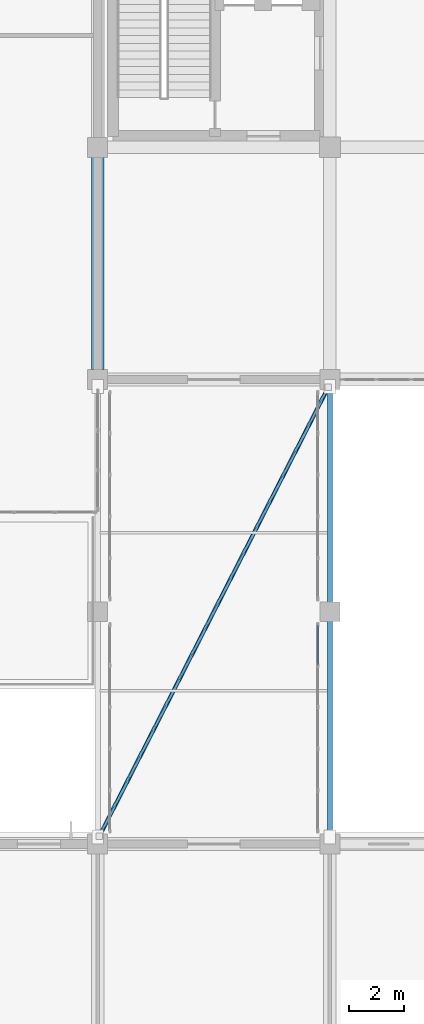
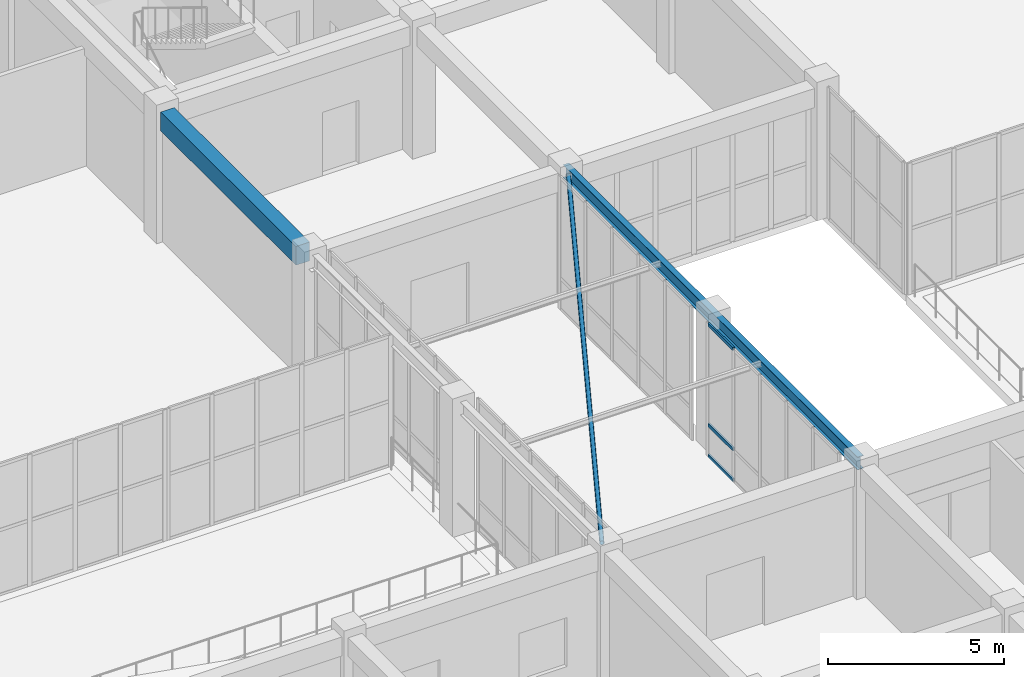
# One storey, part 41 of 158: 4 members, 2 beams, 1 element without a shape of its own.
"""IFC4 building model written with IfcOpenShell, lengths in metres."""

from ifc_helpers import new_model, si_unit, direction, frame, origin, origin_2d, place, context, subcontext, project, spatial, rectangle, hollow_rectangle, hollow_circle, i_section, extrude, material, layer, layer_set, material_profile, profile_set, type_object, element, aggregate, save


model = new_model("IFC4")

# Units and contexts
model_context = context("Model", 3, precision=1e-05, world=origin(), true_north=direction((0.0, 1.0)))
body_context = subcontext(model_context, "Body", "Model", "MODEL_VIEW")
ifc_project = project(units=[si_unit("LENGTHUNIT", "METRE"), si_unit("AREAUNIT", "SQUARE_METRE"), si_unit("VOLUMEUNIT", "CUBIC_METRE"), si_unit("PLANEANGLEUNIT", "RADIAN"), si_unit("MASSUNIT", "GRAM", prefix="KILO")], contexts=[model_context])

# Site, building, storey
site_placement = place(None, origin())
site = spatial("IfcSite", under=ifc_project, at=site_placement, CompositionType="ELEMENT")
building_placement = place(site_placement, origin())
building = spatial("IfcBuilding", under=site, at=building_placement, Name="Trelvath General Hospital", CompositionType="ELEMENT")
storey_placement = place(building_placement, frame((0.0, 0.0, 8.10009765625)))
storey = spatial("IfcBuildingStorey", under=building, at=storey_placement, Name="L02", CompositionType="ELEMENT", Elevation=8.10009765625)

# Beam
ifc_material_1 = material(Name="Concrete C35/45", Category="concrete")
ifc_material_profile_1 = material_profile(ifc_material_1, rectangle(XDim=0.449951171875, YDim=0.64990234375, at=origin_2d()), Name="RCB450x650")
ifc_profile_set_1 = profile_set([ifc_material_profile_1], Name="Concrete C35/45")
beam_type_1 = type_object("IfcBeamType", Name="Beam RC450x650", PredefinedType="BEAM", material=ifc_profile_set_1)
beam_1_placement = place(storey_placement, frame((75.60009765625, 42.35498046875, 4.19482421875), z_axis=(0.0, 1.0, 0.0), x_axis=(-1.0, 0.0, 0.0)))
element("IfcBeam", 1, at=beam_1_placement, inside=storey, type_object=beam_type_1, Name="Grid Beam BY-209F", PredefinedType="BEAM", context=body_context, shape_type="SweptSolid", body=[
    extrude(rectangle(XDim=0.449951171875, YDim=0.64990234375, at=origin_2d()), origin(), (0.0, 0.0, 1.0), 7.68994140625),
])

# Member
ifc_material_2 = material(Name="Steel S355", Category="steel")
ifc_material_profile_2 = material_profile(ifc_material_2, hollow_circle(Radius=0.06982421875, WallThickness=0.00634765625, at=origin_2d()), Name="CHS139.7x6.3")
ifc_profile_set_2 = profile_set([ifc_material_profile_2], Name="Steel S355")
member_type_1 = type_object("IfcMemberType", Name="BridgeBrace CHS139", PredefinedType="BRACE", material=ifc_profile_set_2)
member_1_placement = place(storey_placement, frame((75.659912109375, 25.47998046875, 4.385009765625), z_axis=(0.454223089501, 0.890887975542, 0.0), x_axis=(-0.890887975542, 0.454223089501, 0.0)))
element("IfcMember", 2, at=member_1_placement, inside=storey, type_object=member_type_1, Name="Bridge Lateral Brace BRG-S-C L03", PredefinedType="BRACE", context=body_context, shape_type="SweptSolid", body=[
    extrude(hollow_circle(Radius=0.06982421875, WallThickness=0.00634765625, at=origin_2d()), origin(), (0.0, 0.0, 1.0), 18.22900390625),
])

# Beam
ifc_material_3 = material(Name="Steel S355", Category="steel")
ifc_material_profile_3 = material_profile(ifc_material_3, i_section(OverallWidth=0.18994140625, OverallDepth=0.449951171875, WebThickness=0.009521484375, FlangeThickness=0.0146484375, at=origin_2d()), Name="IPE450")
ifc_profile_set_3 = profile_set([ifc_material_profile_3], Name="Steel S355")
beam_type_2 = type_object("IfcBeamType", Name="BridgeGirder IPE450", PredefinedType="BEAM", material=ifc_profile_set_3)
beam_2_placement = place(storey_placement, frame((84.0, 25.239990234375, 4.385009765625), z_axis=(0.0, 1.0, 0.0), x_axis=(-1.0, 0.0, 0.0)))
element("IfcBeam", 3, at=beam_2_placement, inside=storey, type_object=beam_type_2, Name="Bridge Girder BRG-S-C E L03", PredefinedType="BEAM", context=body_context, shape_type="SweptSolid", body=[
    extrude(i_section(OverallWidth=0.18994140625, OverallDepth=0.449951171875, WebThickness=0.009521484375, FlangeThickness=0.0146484375, at=origin_2d()), origin(), (0.0, 0.0, 1.0), 16.719970703125),
])

# Curtain wall, members
ifc_material_4 = material(Name="Anodised aluminium and low-E glass", Category="aluminium")
ifc_layer = layer(ifc_material_4, 0.139892578125)
ifc_layer_set = layer_set([ifc_layer], Name="Anodised aluminium and low-E glass")
curtain_wall_type = type_object("IfcCurtainWallType", Name="CW Bridge 752 461", PredefinedType="USERDEFINED", material=ifc_layer_set)
curtain_wall_placement = place(storey_placement, origin())
curtain_wall = element("IfcCurtainWall", 4, at=curtain_wall_placement, inside=storey, type_object=curtain_wall_type, Name="Glazed Bridge Curtain Wall BRG-S-C E L02", ObjectType="Unitised Glazed Curtain Wall", PredefinedType="USERDEFINED")
ifc_material_5 = material(Name="Anodised aluminium", Category="aluminium")
ifc_material_profile_4 = material_profile(ifc_material_5, hollow_rectangle(XDim=0.06005859375, YDim=0.110107421875, WallThickness=0.00390625, at=origin_2d()), Name="RHS60x110x4")
ifc_profile_set_4 = profile_set([ifc_material_profile_4], Name="Anodised aluminium")
member_type_2 = type_object("IfcMemberType", Name="CurtainTransom 60x110", PredefinedType="USERDEFINED", material=ifc_profile_set_4)
member_2_placement = place(storey_placement, frame((83.56005859375, 33.10009765625, 0.02978515625), z_axis=(0.0, -1.0, 0.0), x_axis=(1.0, 0.0, 0.0)))
member_2 = element("IfcMember", 5, at=member_2_placement, type_object=member_type_2, Name="CW-227 transom 1.1", ObjectType="TRANSOM", PredefinedType="USERDEFINED", context=body_context, shape_type="SweptSolid", body=[
    extrude(hollow_rectangle(XDim=0.06005859375, YDim=0.110107421875, WallThickness=0.00390625, at=origin_2d()), origin(), (0.0, 0.0, 1.0), 1.4140625),
])
member_3_placement = place(storey_placement, frame((83.56005859375, 33.10009765625, 1.099853515625), z_axis=(0.0, -1.0, 0.0), x_axis=(1.0, 0.0, 0.0)))
member_3 = element("IfcMember", 6, at=member_3_placement, type_object=member_type_2, Name="CW-227 transom 1.2", ObjectType="TRANSOM", PredefinedType="USERDEFINED", context=body_context, shape_type="SweptSolid", body=[
    extrude(hollow_rectangle(XDim=0.06005859375, YDim=0.110107421875, WallThickness=0.00390625, at=origin_2d()), origin(), (0.0, 0.0, 1.0), 1.4140625),
])
member_4_placement = place(storey_placement, frame((83.56005859375, 33.10009765625, 4.579833984375), z_axis=(0.0, -1.0, 0.0), x_axis=(1.0, 0.0, 0.0)))
member_4 = element("IfcMember", 7, at=member_4_placement, type_object=member_type_2, Name="CW-227 transom 1.3", ObjectType="TRANSOM", PredefinedType="USERDEFINED", context=body_context, shape_type="SweptSolid", body=[
    extrude(hollow_rectangle(XDim=0.06005859375, YDim=0.110107421875, WallThickness=0.00390625, at=origin_2d()), origin(), (0.0, 0.0, 1.0), 1.4140625),
])
aggregate(curtain_wall, [member_2, member_3, member_4])

save(model, "model.ifc")
